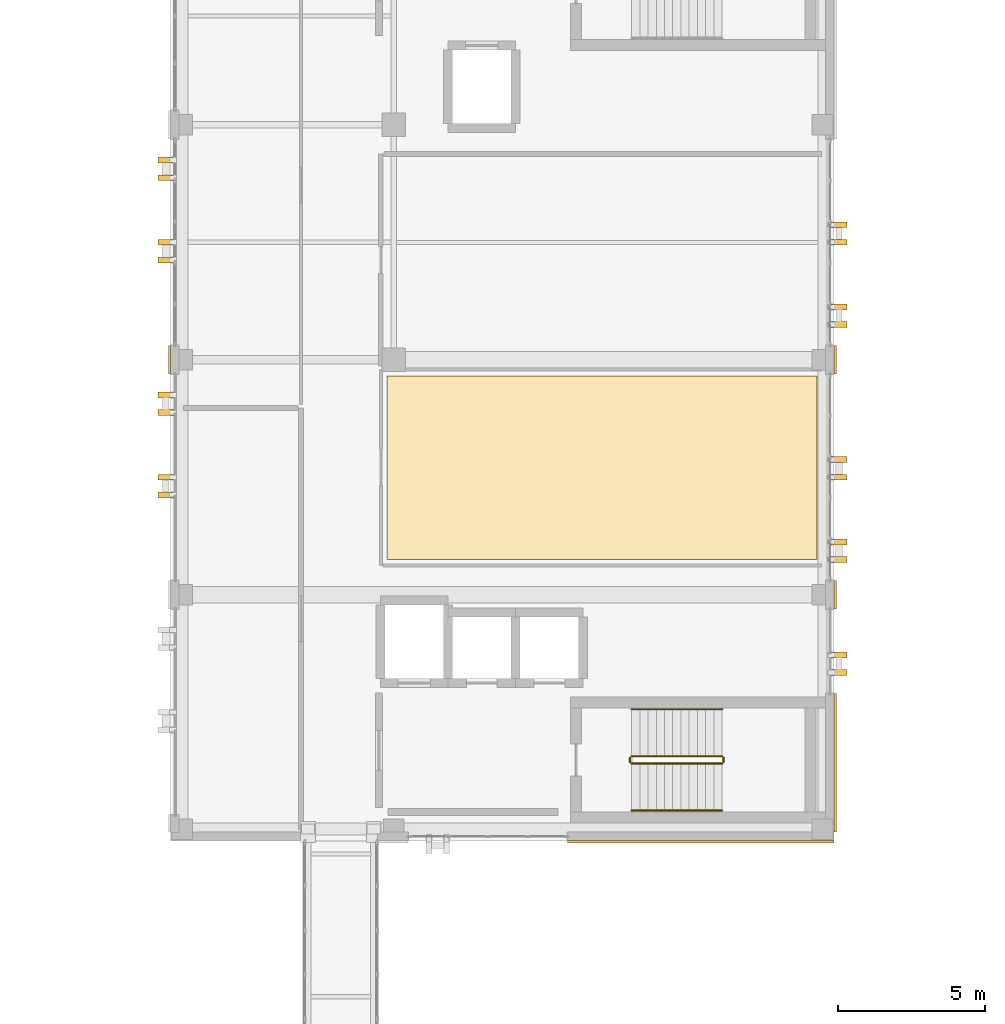
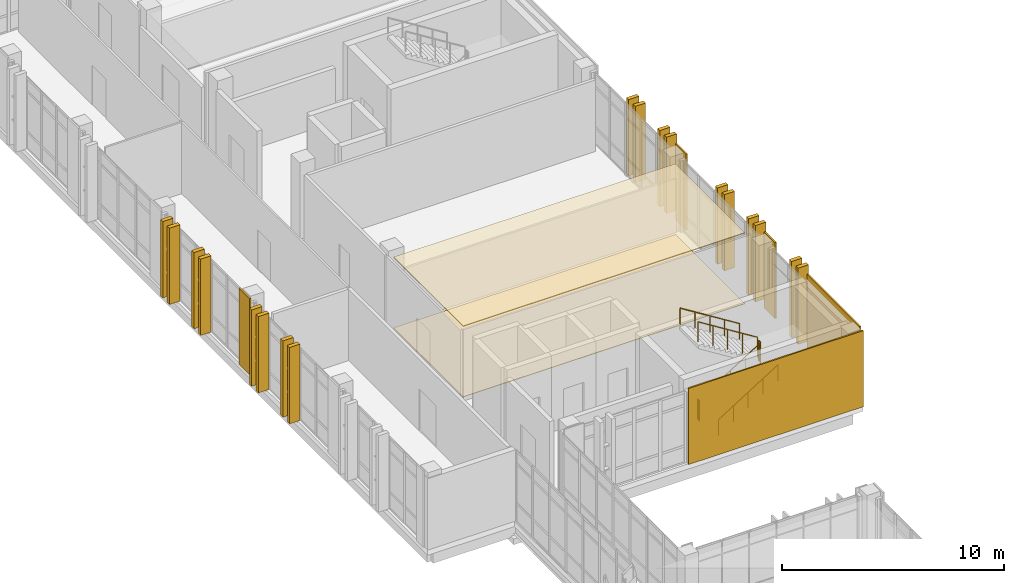
# One storey, part 154 of 165: 25 coverings, 6 railings.
"""IFC4 building model written with IfcOpenShell, lengths in metres."""

from ifc_helpers import new_model, si_unit, direction, frame, origin, origin_2d, place, context, subcontext, project, spatial, polyline, rectangle, circle, outline, extrude, material, layer, layer_set, type_object, element, save


model = new_model("IFC4")

# Units and contexts
model_context = context("Model", 3, precision=1e-05, world=origin(), true_north=direction((0.0, 1.0)))
body_context = subcontext(model_context, "Body", "Model", "MODEL_VIEW")
ifc_project = project(units=[si_unit("LENGTHUNIT", "METRE"), si_unit("AREAUNIT", "SQUARE_METRE"), si_unit("VOLUMEUNIT", "CUBIC_METRE"), si_unit("PLANEANGLEUNIT", "RADIAN"), si_unit("MASSUNIT", "GRAM", prefix="KILO")], contexts=[model_context])

# Site, building, storey
site_placement = place(None, origin())
site = spatial("IfcSite", under=ifc_project, at=site_placement, CompositionType="ELEMENT")
building_placement = place(site_placement, origin())
building = spatial("IfcBuilding", under=site, at=building_placement, Name="Qalavern Law Courts", CompositionType="ELEMENT")
storey_placement = place(building_placement, frame((0.0, 0.0, 14.39990234375)))
storey = spatial("IfcBuildingStorey", under=building, at=storey_placement, Name="L03", CompositionType="ELEMENT", Elevation=14.39990234375)

# Coverings
ifc_material_1 = material(Name="Precast concrete C40/50", Category="concrete")
ifc_layer_1 = layer(ifc_material_1, 0.199951171875)
ifc_layer_set_1 = layer_set([ifc_layer_1], Name="Precast concrete C40/50")
covering_type_1 = type_object("IfcCoveringType", Name="ENV-BLD-1", PredefinedType="CLADDING", material=ifc_layer_set_1)
for number, where, z_axis, x_axis, name in (
    (1, (106.96240234375, 46.75, 0.005126953125), (0.0, 0.0, 1.0), (1.0, 0.0, 0.0), "Absheron stone facade blade 0625"),
    (2, (106.96240234375, 47.35009765625, 0.005126953125), (0.0, 0.0, 1.0), (1.0, 0.0, 0.0), "Absheron stone facade blade 0626"),
    (3, (106.96240234375, 50.60009765625, 0.005126953125), (0.0, 0.0, 1.0), (1.0, 0.0, 0.0), "Absheron stone facade blade 0627"),
    (4, (106.96240234375, 51.199951171875, 0.005126953125), (0.0, 0.0, 1.0), (1.0, 0.0, 0.0), "Absheron stone facade blade 0628"),
    (5, (106.96240234375, 53.39990234375, 0.005126953125), (0.0, 0.0, 1.0), (1.0, 0.0, 0.0), "Absheron stone facade blade 0629"),
    (6, (106.96240234375, 54.0, 0.005126953125), (0.0, 0.0, 1.0), (1.0, 0.0, 0.0), "Absheron stone facade blade 0630"),
    (7, (106.96240234375, 58.60009765625, 0.005126953125), (0.0, 0.0, 1.0), (1.0, 0.0, 0.0), "Absheron stone facade blade 0631"),
    (8, (106.96240234375, 59.199951171875, 0.005126953125), (0.0, 0.0, 1.0), (1.0, 0.0, 0.0), "Absheron stone facade blade 0632"),
    (9, (106.96240234375, 61.39990234375, 0.005126953125), (0.0, 0.0, 1.0), (1.0, 0.0, 0.0), "Absheron stone facade blade 0633"),
    (10, (106.96240234375, 62.0, 0.005126953125), (0.0, 0.0, 1.0), (1.0, 0.0, 0.0), "Absheron stone facade blade 0634"),
    (11, (84.03759765625, 64.199951171875, 0.005126953125), (0.0, 0.0, 1.0), (-1.0, 0.0, 0.0), "Absheron stone facade blade 0655"),
    (12, (84.03759765625, 63.60009765625, 0.005126953125), (0.0, 0.0, 1.0), (-1.0, 0.0, 0.0), "Absheron stone facade blade 0656"),
    (13, (84.03759765625, 61.39990234375, 0.005126953125), (0.0, 0.0, 1.0), (-1.0, 0.0, 0.0), "Absheron stone facade blade 0657"),
    (14, (84.03759765625, 60.800048828125, 0.005126953125), (0.0, 0.0, 1.0), (-1.0, 0.0, 0.0), "Absheron stone facade blade 0658"),
    (15, (84.03759765625, 56.199951171875, 0.005126953125), (0.0, 0.0, 1.0), (-1.0, 0.0, 0.0), "Absheron stone facade blade 0659"),
    (16, (84.03759765625, 55.60009765625, 0.005126953125), (0.0, 0.0, 1.0), (-1.0, 0.0, 0.0), "Absheron stone facade blade 0660"),
    (17, (84.03759765625, 53.39990234375, 0.005126953125), (0.0, 0.0, 1.0), (-1.0, 0.0, 0.0), "Absheron stone facade blade 0661"),
    (18, (84.03759765625, 52.800048828125, 0.005126953125), (0.0, 0.0, 1.0), (-1.0, 0.0, 0.0), "Absheron stone facade blade 0662"),
):
    element("IfcCovering", number, at=place(storey_placement, frame(where, z_axis=z_axis, x_axis=x_axis)), inside=storey, type_object=covering_type_1, Name=name, PredefinedType="CLADDING", context=body_context, shape_type="SweptSolid", body=[
        extrude(rectangle(XDim=0.5400390625, YDim=0.199951171875, at=origin_2d()), origin(), (0.0, 0.0, 1.0), 4.18994140625),
    ])
ifc_layer_2 = layer(ifc_material_1, 0.072021484375)
ifc_layer_set_2 = layer_set([ifc_layer_2], Name="Precast concrete C40/50")
covering_type_2 = type_object("IfcCoveringType", Name="ENV-CLD-2", PredefinedType="CLADDING", material=ifc_layer_set_2)
covering_1_placement = place(storey_placement, frame((102.25, 40.987060546875, 0.01025390625), z_axis=(0.0, 0.0, 1.0), x_axis=(1.0, 0.0, 0.0)))
element("IfcCovering", 19, at=covering_1_placement, inside=storey, type_object=covering_type_2, Name="V4 Absheron limestone pier facing L03 south 2", PredefinedType="CLADDING", context=body_context, shape_type="SweptSolid", body=[
    extrude(rectangle(XDim=9.080078125, YDim=0.072021484375, at=origin_2d()), origin(), (0.0, 0.0, 1.0), 4.179931640625),
])
covering_2_placement = place(storey_placement, frame((106.8330078125, 43.679931640625, 0.01025390625), z_axis=(0.0, 0.0, 1.0), x_axis=(0.0, 1.0, 0.0)))
element("IfcCovering", 20, at=covering_2_placement, inside=storey, type_object=covering_type_2, Name="V4 Absheron limestone pier facing L03 east 1", PredefinedType="CLADDING", context=body_context, shape_type="SweptSolid", body=[
    extrude(rectangle(XDim=4.719970703125, YDim=0.072021484375, at=origin_2d()), origin(), (0.0, 0.0, 1.0), 4.179931640625),
])
for number, where, z_axis, x_axis, name in (
    (21, (106.8330078125, 49.39990234375, 0.01025390625), (0.0, 0.0, 1.0), (0.0, 1.0, 0.0), "V4 Absheron limestone pier facing L03 east 2"),
    (22, (106.8330078125, 57.39990234375, 0.01025390625), (0.0, 0.0, 1.0), (0.0, 1.0, 0.0), "V4 Absheron limestone pier facing L03 east 3"),
    (23, (84.1669921875, 57.39990234375, 0.01025390625), (0.0, 0.0, 1.0), (0.0, -1.0, 0.0), "V4 Absheron limestone pier facing L03 west 5"),
):
    element("IfcCovering", number, at=place(storey_placement, frame(where, z_axis=z_axis, x_axis=x_axis)), inside=storey, type_object=covering_type_2, Name=name, PredefinedType="CLADDING", context=body_context, shape_type="SweptSolid", body=[
        extrude(rectangle(XDim=0.97998046875, YDim=0.072021484375, at=origin_2d()), origin(), (0.0, 0.0, 1.0), 4.179931640625),
    ])
ifc_material_2 = material(Name="Perforated gypsum and mineral-wool acoustic ceiling")
ifc_layer_3 = layer(ifc_material_2, 0.0458984375)
ifc_layer_set_3 = layer_set([ifc_layer_3], Name="Perforated gypsum and mineral-wool acoustic ceiling")
covering_type_3 = type_object("IfcCoveringType", Name="INT-CEIL-2", PredefinedType="CEILING", material=ifc_layer_set_3)
covering_3_placement = place(storey_placement, frame((0.0, 0.0, 3.8740234375)))
element("IfcCovering", 24, at=covering_3_placement, inside=storey, type_object=covering_type_3, Name="Judges' Chambers acoustic ceiling L03", PredefinedType="CEILING", context=body_context, shape_type="SweptSolid", body=[
    extrude(outline(polyline([(91.570068359375, 50.60009765625), (106.2099609375, 50.60009765625), (106.2099609375, 56.85498046875), (91.570068359375, 56.85498046875), (91.570068359375, 50.60009765625)])), origin(), (0.0, 0.0, 1.0), 0.046142578125),
])
ifc_material_3 = material(Name="Polished Absheron stone terrazzo flooring", Category="masonry")
ifc_layer_4 = layer(ifc_material_3, 0.030029296875)
ifc_layer_set_4 = layer_set([ifc_layer_4], Name="Polished Absheron stone terrazzo flooring")
covering_type_4 = type_object("IfcCoveringType", Name="INT-FLR-2", PredefinedType="FLOORING", material=ifc_layer_set_4)
covering_4_placement = place(storey_placement, origin())
element("IfcCovering", 25, at=covering_4_placement, inside=storey, type_object=covering_type_4, Name="Judges' Chambers finish flooring L03", PredefinedType="FLOORING", context=body_context, shape_type="SweptSolid", body=[
    extrude(outline(polyline([(91.570068359375, 50.60009765625), (106.2099609375, 50.60009765625), (106.2099609375, 56.85498046875), (91.570068359375, 56.85498046875), (91.570068359375, 50.60009765625)])), origin(), (0.0, 0.0, 1.0), 0.030029296875),
])

# Railings
ifc_material_4 = material(Name="Steel S355", Category="steel")
railing_type_1 = type_object("IfcRailingType", Name="INT-GUARD-1120", PredefinedType="BALUSTRADE", material=ifc_material_4)
railing_1_placement = place(storey_placement, frame((99.89990234375, 43.64990234375, 0.175048828125)))
element("IfcRailing", 26, at=railing_1_placement, inside=storey, type_object=railing_type_1, Name="L03 ST-K1A stair guard 1", PredefinedType="BALUSTRADE", context=body_context, shape_type="SweptSolid", body=[
    extrude(circle(Radius=0.02392578125, at=origin_2d()), frame((0.0, 0.0, 1.09619140625), z_axis=(0.847998304005, 0.0, 0.529998940003), x_axis=(0.0, 1.0, 0.0)), (0.0, 0.0, 1.0), 3.632080078125),
    extrude(circle(Radius=0.02099609375, at=origin_2d()), origin(), (0.0, 0.0, 1.0), 1.072021484375),
    extrude(circle(Radius=0.02099609375, at=origin_2d()), frame((0.77001953125, 0.0, 0.481201171875)), (0.0, 0.0, 1.0), 1.072021484375),
    extrude(circle(Radius=0.02099609375, at=origin_2d()), frame((1.5400390625, 0.0, 0.96240234375)), (0.0, 0.0, 1.0), 1.072021484375),
    extrude(circle(Radius=0.02099609375, at=origin_2d()), frame((2.31005859375, 0.0, 1.44384765625)), (0.0, 0.0, 1.0), 1.072021484375),
    extrude(circle(Radius=0.02099609375, at=origin_2d()), frame((3.080078125, 0.0, 1.925048828125)), (0.0, 0.0, 1.0), 1.072021484375),
])
railing_2_placement = place(storey_placement, frame((103.030029296875, 43.699951171875, 2.10009765625)))
element("IfcRailing", 27, at=railing_2_placement, inside=storey, type_object=railing_type_1, Name="L03 ST-K1A stair guard 2", PredefinedType="BALUSTRADE", context=body_context, shape_type="SweptSolid", body=[
    extrude(circle(Radius=0.02392578125, at=origin_2d()), frame((0.0, 0.0, 1.09619140625), z_axis=(0.0, 1.0, 0.0), x_axis=(-1.0, 0.0, 0.0)), (0.0, 0.0, 1.0), 0.150146484375),
    extrude(circle(Radius=0.02099609375, at=origin_2d()), origin(), (0.0, 0.0, 1.0), 1.072021484375),
    extrude(circle(Radius=0.02099609375, at=origin_2d()), frame((0.0, 0.150146484375, 0.0)), (0.0, 0.0, 1.0), 1.072021484375),
])
railing_3_placement = place(storey_placement, frame((102.97998046875, 43.89990234375, 2.275146484375)))
element("IfcRailing", 28, at=railing_3_placement, inside=storey, type_object=railing_type_1, Name="L03 ST-K1A stair guard 3", PredefinedType="BALUSTRADE", context=body_context, shape_type="SweptSolid", body=[
    extrude(circle(Radius=0.02392578125, at=origin_2d()), frame((0.0, 0.0, 1.09619140625), z_axis=(-0.847998304005, 0.0, 0.529998940003), x_axis=(0.0, -1.0, 0.0)), (0.0, 0.0, 1.0), 3.632080078125),
    extrude(circle(Radius=0.02099609375, at=origin_2d()), origin(), (0.0, 0.0, 1.0), 1.072021484375),
    extrude(circle(Radius=0.02099609375, at=origin_2d()), frame((-0.77001953125, 0.0, 0.481201171875)), (0.0, 0.0, 1.0), 1.072021484375),
    extrude(circle(Radius=0.02099609375, at=origin_2d()), frame((-1.5400390625, 0.0, 0.96240234375)), (0.0, 0.0, 1.0), 1.072021484375),
    extrude(circle(Radius=0.02099609375, at=origin_2d()), frame((-2.31005859375, 0.0, 1.44384765625)), (0.0, 0.0, 1.0), 1.072021484375),
    extrude(circle(Radius=0.02099609375, at=origin_2d()), frame((-3.080078125, 0.0, 1.925048828125)), (0.0, 0.0, 1.0), 1.072021484375),
])
railing_4_placement = place(storey_placement, frame((99.85009765625, 43.699951171875, 0.0)))
element("IfcRailing", 29, at=railing_4_placement, inside=storey, type_object=railing_type_1, Name="L03 ST-K1A stair guard 4", PredefinedType="BALUSTRADE", context=body_context, shape_type="SweptSolid", body=[
    extrude(circle(Radius=0.02392578125, at=origin_2d()), frame((0.0, 0.0, 1.09619140625), z_axis=(0.0, 1.0, 0.0), x_axis=(-1.0, 0.0, 0.0)), (0.0, 0.0, 1.0), 0.150146484375),
    extrude(circle(Radius=0.02099609375, at=origin_2d()), origin(), (0.0, 0.0, 1.0), 1.072021484375),
    extrude(circle(Radius=0.02099609375, at=origin_2d()), frame((0.0, 0.150146484375, 0.0)), (0.0, 0.0, 1.0), 1.072021484375),
])
railing_type_2 = type_object("IfcRailingType", Name="INT-HRAIL-920", PredefinedType="HANDRAIL", material=ifc_material_4)
railing_5_placement = place(storey_placement, frame((99.89990234375, 42.050048828125, 0.175048828125)))
element("IfcRailing", 30, at=railing_5_placement, inside=storey, type_object=railing_type_2, Name="L03 ST-K1A stair handrail 1", PredefinedType="HANDRAIL", context=body_context, shape_type="SweptSolid", body=[
    extrude(circle(Radius=0.02392578125, at=origin_2d()), frame((0.0, 0.0, 0.8759765625), z_axis=(0.847998304005, 0.0, 0.529998940003), x_axis=(0.0, 1.0, 0.0)), (0.0, 0.0, 1.0), 3.632080078125),
    extrude(circle(Radius=0.02099609375, at=origin_2d()), origin(), (0.0, 0.0, 1.0), 0.851806640625),
    extrude(circle(Radius=0.02099609375, at=origin_2d()), frame((0.77001953125, 0.0, 0.481201171875)), (0.0, 0.0, 1.0), 0.851806640625),
    extrude(circle(Radius=0.02099609375, at=origin_2d()), frame((1.5400390625, 0.0, 0.96240234375)), (0.0, 0.0, 1.0), 0.851806640625),
    extrude(circle(Radius=0.02099609375, at=origin_2d()), frame((2.31005859375, 0.0, 1.44384765625)), (0.0, 0.0, 1.0), 0.851806640625),
    extrude(circle(Radius=0.02099609375, at=origin_2d()), frame((3.080078125, 0.0, 1.925048828125)), (0.0, 0.0, 1.0), 0.851806640625),
])
railing_6_placement = place(storey_placement, frame((102.97998046875, 45.5, 2.275146484375)))
element("IfcRailing", 31, at=railing_6_placement, inside=storey, type_object=railing_type_2, Name="L03 ST-K1A stair handrail 2", PredefinedType="HANDRAIL", context=body_context, shape_type="SweptSolid", body=[
    extrude(circle(Radius=0.02392578125, at=origin_2d()), frame((0.0, 0.0, 0.8759765625), z_axis=(-0.847998304005, 0.0, 0.529998940003), x_axis=(0.0, -1.0, 0.0)), (0.0, 0.0, 1.0), 3.632080078125),
    extrude(circle(Radius=0.02099609375, at=origin_2d()), origin(), (0.0, 0.0, 1.0), 0.851806640625),
    extrude(circle(Radius=0.02099609375, at=origin_2d()), frame((-0.77001953125, 0.0, 0.481201171875)), (0.0, 0.0, 1.0), 0.851806640625),
    extrude(circle(Radius=0.02099609375, at=origin_2d()), frame((-1.5400390625, 0.0, 0.96240234375)), (0.0, 0.0, 1.0), 0.851806640625),
    extrude(circle(Radius=0.02099609375, at=origin_2d()), frame((-2.31005859375, 0.0, 1.44384765625)), (0.0, 0.0, 1.0), 0.851806640625),
    extrude(circle(Radius=0.02099609375, at=origin_2d()), frame((-3.080078125, 0.0, 1.925048828125)), (0.0, 0.0, 1.0), 0.851806640625),
])

save(model, "model.ifc")
